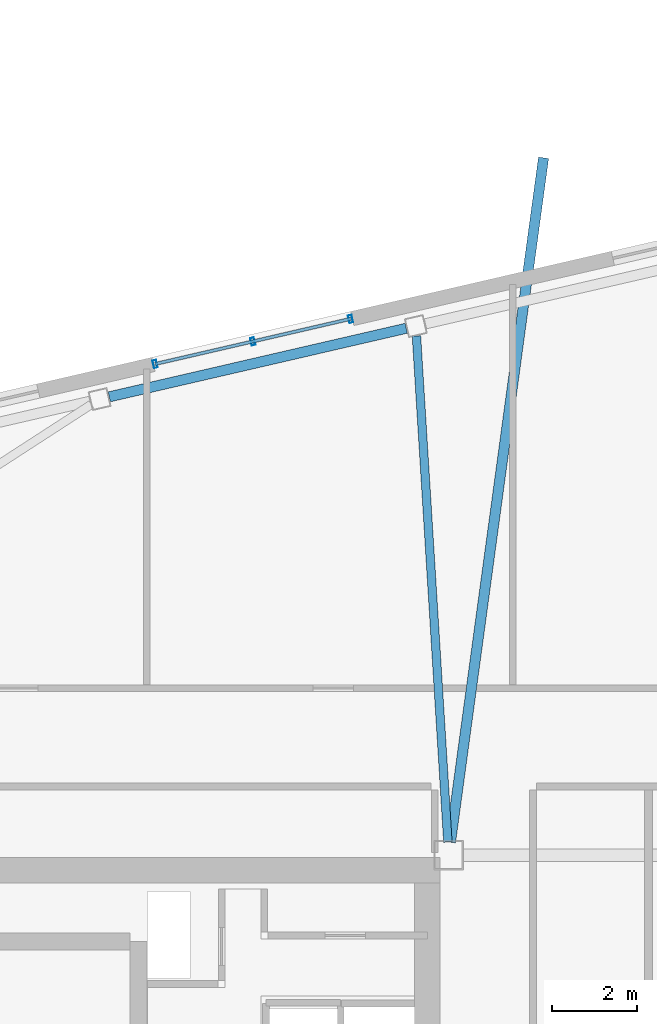
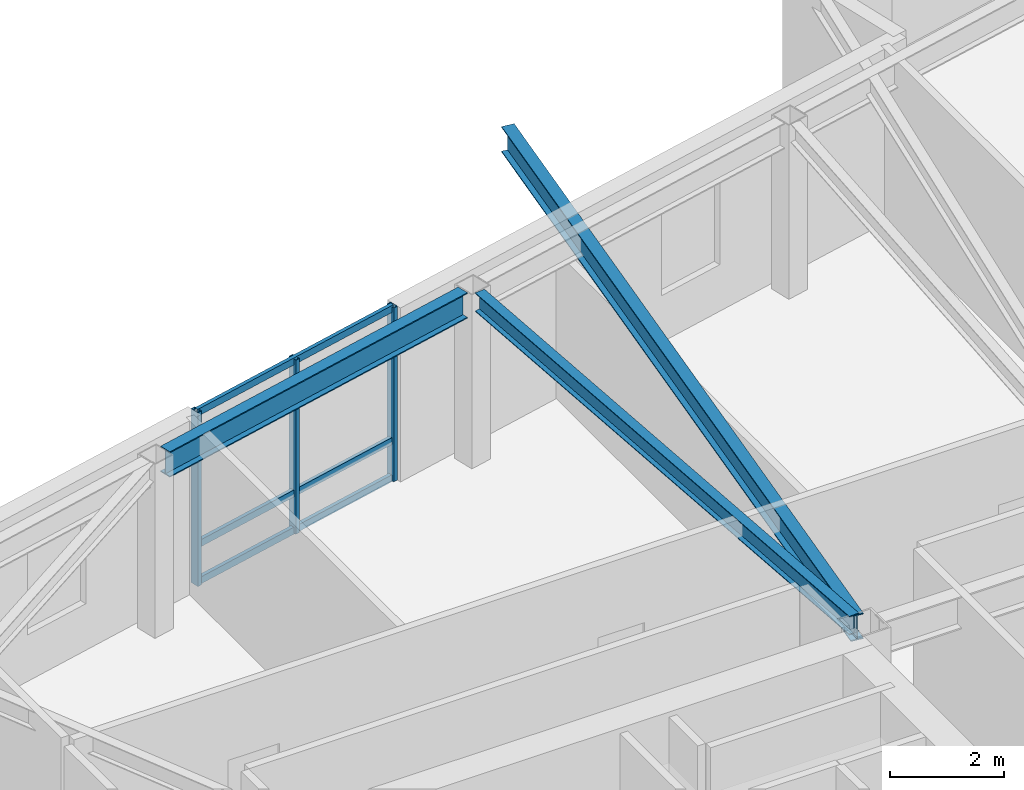
# One storey, part 13 of 22: 6 members, 3 beams, 1 element without a shape of its own.
"""IFC4 building model written with IfcOpenShell, lengths in metres."""

import ifcopenshell
import ifcopenshell.guid

model = None  # the IFC model being written
_history = None  # IfcOwnerHistory: only IFC2X3 demands one
_inside = {}  # id of a spatial element -> (the spatial element, [elements in it])
_under = {}  # id of a project, library or spatial element -> (it, [spatial elements below it])
_declared = {}  # id of a project -> (the project, [libraries it declares])
_typed = {}  # id of a type object -> (the type object, [elements of that type])
_made_of = {}  # id of a material, layer set ... -> (it, [elements and type objects made of it])


def new_model(schema):
    """Start an empty IFC model of exactly this schema.

    Asked for "IFC4X3", IfcOpenShell would pick the latest addendum, in which some entities
    have other attributes; the version numbers below select the first issue.
    IFC2X3 requires an IfcOwnerHistory on every rooted entity: one is made here for all.
    """
    global model, _history
    if schema == "IFC4X3":
        model = ifcopenshell.file(schema_version=(4, 3, 0, 0))
    else:
        model = ifcopenshell.file(schema=schema)
    _inside.clear()
    _under.clear()
    _declared.clear()
    _typed.clear()
    _made_of.clear()
    _history = None
    if model.schema == "IFC2X3":
        org = make("IfcOrganization", Name="unknown")
        user = make(
            "IfcPersonAndOrganization",
            ThePerson=make("IfcPerson", FamilyName="unknown"),
            TheOrganization=org,
        )
        app = make(
            "IfcApplication",
            ApplicationDeveloper=org,
            Version="unknown",
            ApplicationFullName="unknown",
            ApplicationIdentifier="unknown",
        )
        _history = make(
            "IfcOwnerHistory",
            OwningUser=user,
            OwningApplication=app,
            ChangeAction="ADDED",
            CreationDate=0,
        )
    return model


def make(cls, **values):
    """One entity of the class cls with the attributes given. An attribute that is None is left unset."""
    return model.create_entity(
        cls, **{name: value for name, value in values.items() if value is not None}
    )


def rooted(cls, **values):
    """An entity with a GlobalId (a new one), such as an element, a storey or a relation."""
    return make(cls, GlobalId=ifcopenshell.guid.new(), OwnerHistory=_history, **values)


def si_unit(unit_type, name, prefix=None):
    """IfcSIUnit, for example si_unit("LENGTHUNIT", "METRE", prefix="MILLI")."""
    return make("IfcSIUnit", UnitType=unit_type, Prefix=prefix, Name=name)


def assignment(units):
    """IfcUnitAssignment: the units of a project."""
    return None if units is None else make("IfcUnitAssignment", Units=units)


def point(xyz):
    """IfcCartesianPoint."""
    return None if xyz is None else make("IfcCartesianPoint", Coordinates=xyz)


def direction(xyz):
    """IfcDirection."""
    return None if xyz is None else make("IfcDirection", DirectionRatios=xyz)


def frame(location, z_axis=None, x_axis=None):
    """IfcAxis2Placement3D, a coordinate frame: its origin and axes. An axis left out is left unset."""
    return make(
        "IfcAxis2Placement3D",
        Location=point(location),
        Axis=direction(z_axis),
        RefDirection=direction(x_axis),
    )


def frame_2d(location, x_axis=None):
    """IfcAxis2Placement2D, a coordinate frame in the plane: its origin and x axis."""
    return make(
        "IfcAxis2Placement2D", Location=point(location), RefDirection=direction(x_axis)
    )


def origin():
    """The frame at (0, 0, 0) with its axes left unset."""
    return frame((0.0, 0.0, 0.0))


def origin_2d():
    """The frame at (0, 0) in the plane with its x axis left unset."""
    return frame_2d((0.0, 0.0))


def place(relative_to, where):
    """IfcLocalPlacement: puts the frame where relative to a parent placement (None: the world)."""
    return make(
        "IfcLocalPlacement", PlacementRelTo=relative_to, RelativePlacement=where
    )


def context(
    kind, dimensions, precision=None, world=None, true_north=None, identifier=None
):
    """IfcGeometricRepresentationContext, for example the 3D "Model" context."""
    return make(
        "IfcGeometricRepresentationContext",
        ContextIdentifier=identifier,
        ContextType=kind,
        CoordinateSpaceDimension=dimensions,
        Precision=precision,
        WorldCoordinateSystem=world,
        TrueNorth=true_north,
    )


def subcontext(parent, identifier, kind, view, scale=None):
    """IfcGeometricRepresentationSubContext, for example "Body" below "Model"."""
    return make(
        "IfcGeometricRepresentationSubContext",
        ContextIdentifier=identifier,
        ContextType=kind,
        ParentContext=parent,
        TargetScale=scale,
        TargetView=view,
    )


def project(units=None, contexts=None):
    """IfcProject with its units and contexts."""
    return rooted(
        "IfcProject",
        Name="project",
        RepresentationContexts=contexts,
        UnitsInContext=assignment(units),
    )


def spatial(cls, under=None, at=None, **own):
    """A site, building, storey or space (cls), placed at a placement, below another one or the project."""
    s = rooted(cls, ObjectPlacement=at, **own)
    if under is not None:
        _under.setdefault(under.id(), (under, []))[1].append(s)
    return s


def profile(cls, at=None, kind="AREA", **sizes):
    """A parametric profile (cls). Its sizes go by their IFC names, for example OverallWidth=200.0."""
    return make(cls, ProfileType=kind, Position=at, **sizes)


def hollow_rectangle(**sizes):
    """IfcRectangleHollowProfileDef."""
    return profile("IfcRectangleHollowProfileDef", **sizes)


def i_section(**sizes):
    """IfcIShapeProfileDef."""
    return profile("IfcIShapeProfileDef", **sizes)


def extrude(swept, where, along, depth):
    """IfcExtrudedAreaSolid: the profile swept, set in the frame where, extruded along a direction by depth."""
    return make(
        "IfcExtrudedAreaSolid",
        SweptArea=swept,
        Position=where,
        ExtrudedDirection=direction(along),
        Depth=depth,
    )


def shape(context_of_items, identifier, shape_type, items):
    """IfcShapeRepresentation: the items that make up one representation, for example the "Body"."""
    return make(
        "IfcShapeRepresentation",
        ContextOfItems=context_of_items,
        RepresentationIdentifier=identifier,
        RepresentationType=shape_type,
        Items=items,
    )


def material(Name=None, Category=None):
    """IfcMaterial."""
    return make("IfcMaterial", Name=Name, Category=Category)


def layer(
    of_material, thickness, ventilated=None, Name=None, Category=None, Priority=None
):
    """IfcMaterialLayer: one layer of a wall or slab, of a material (None: an air gap)."""
    return make(
        "IfcMaterialLayer",
        Material=of_material,
        LayerThickness=thickness,
        IsVentilated=ventilated,
        Name=Name,
        Category=Category,
        Priority=Priority,
    )


def layer_set(layers, Name=None):
    """IfcMaterialLayerSet."""
    return make("IfcMaterialLayerSet", MaterialLayers=layers, LayerSetName=Name)


def material_profile(
    of_material, cross_section, Name=None, Category=None, Priority=None
):
    """IfcMaterialProfile: a cross section and its material."""
    return make(
        "IfcMaterialProfile",
        Name=Name,
        Material=of_material,
        Profile=cross_section,
        Priority=Priority,
        Category=Category,
    )


def profile_set(profiles, Name=None, composite=None):
    """IfcMaterialProfileSet."""
    return make(
        "IfcMaterialProfileSet",
        Name=Name,
        MaterialProfiles=profiles,
        CompositeProfile=composite,
    )


def made_of(thing, what):
    """Note that an element or type object is made of a material, layer set ...; save() writes the relation."""
    if what is not None:
        _made_of.setdefault(what.id(), (what, []))[1].append(thing)
    return thing


def type_object(cls, material=None, **own):
    """A type object (cls), such as IfcWallType, which elements share."""
    return made_of(rooted(cls, **own), material)


def element(
    cls,
    number,
    at=None,
    inside=None,
    cuts=None,
    type_object=None,
    material=None,
    context=None,
    identifier="Body",
    shape_type=None,
    held_by="IfcProductDefinitionShape",
    body=None,
    shapes=None,
    **own,
):
    """One element of the class cls, such as IfcWall. Its Tag is "e" and its number.

    at: its placement. inside: the storey or other place that contains it. cuts: it is an
    opening in that element (IfcRelVoidsElement). A single representation is given by context,
    identifier, shape_type and body (its items); several are given by shapes. held_by: the class
    of the entity that holds the representations. save() writes the other relations.
    """
    e = rooted(cls, Tag="e%d" % number, ObjectPlacement=at, **own)
    if body is not None:
        shapes = [shape(context, identifier, shape_type, body)]
    if shapes is not None:
        e.Representation = make(held_by, Representations=shapes)
    if inside is not None:
        _inside.setdefault(inside.id(), (inside, []))[1].append(e)
    if cuts is not None:
        rooted(
            "IfcRelVoidsElement", RelatingBuildingElement=cuts, RelatedOpeningElement=e
        )
    if type_object is not None:
        _typed.setdefault(type_object.id(), (type_object, []))[1].append(e)
    return made_of(e, material)


def aggregate(whole, parts):
    """IfcRelAggregates: a whole, such as a stair, and the parts it consists of."""
    return rooted("IfcRelAggregates", RelatingObject=whole, RelatedObjects=parts)


def save(model, path):
    """Write the relations noted so far, then the file.

    IfcRelAggregates (storeys below a building ...), IfcRelContainedInSpatialStructure (elements
    in a storey), IfcRelDefinesByType, IfcRelAssociatesMaterial and IfcRelDeclares: one each for
    every whole, place, type object, material and project.
    """
    for whole, parts in _under.values():
        aggregate(whole, parts)
    for where, things in _inside.values():
        rooted(
            "IfcRelContainedInSpatialStructure",
            RelatedElements=things,
            RelatingStructure=where,
        )
    for kind, things in _typed.values():
        rooted("IfcRelDefinesByType", RelatedObjects=things, RelatingType=kind)
    for what, things in _made_of.values():
        rooted("IfcRelAssociatesMaterial", RelatedObjects=things, RelatingMaterial=what)
    for by, libraries in _declared.values():
        rooted("IfcRelDeclares", RelatingContext=by, RelatedDefinitions=libraries)
    model.write(path)


model = new_model("IFC4")

# Units and contexts
model_context = context("Model", 3, precision=1e-05, world=origin(), true_north=direction((0.0, 1.0)))
body_context = subcontext(model_context, "Body", "Model", "MODEL_VIEW")
ifc_project = project(units=[si_unit("LENGTHUNIT", "METRE"), si_unit("AREAUNIT", "SQUARE_METRE"), si_unit("VOLUMEUNIT", "CUBIC_METRE"), si_unit("PLANEANGLEUNIT", "RADIAN"), si_unit("MASSUNIT", "GRAM", prefix="KILO")], contexts=[model_context])

# Site, building, storey
site_placement = place(None, origin())
site = spatial("IfcSite", under=ifc_project, at=site_placement, CompositionType="ELEMENT")
building_placement = place(site_placement, origin())
building = spatial("IfcBuilding", under=site, at=building_placement, Name="Tavrogorsk Clinical Tower", CompositionType="ELEMENT")
storey_placement = place(building_placement, frame((0.0, 0.0, 317.0)))
storey = spatial("IfcBuildingStorey", under=building, at=storey_placement, Name="L74", CompositionType="ELEMENT", Elevation=317.0)

# Curtain wall, members
ifc_material_1 = material(Name="Anodised aluminium and triple IGU glazing", Category="aluminium")
ifc_layer = layer(ifc_material_1, 0.179931640625)
ifc_layer_set = layer_set([ifc_layer], Name="Anodised aluminium and triple IGU glazing")
curtain_wall_type = type_object("IfcCurtainWallType", Name="CW2_NorthSlot", PredefinedType="NOTDEFINED", material=ifc_layer_set)
curtain_wall_placement = place(storey_placement, origin())
curtain_wall = element("IfcCurtainWall", 1, at=curtain_wall_placement, inside=storey, type_object=curtain_wall_type, Name="L74 Curtain Wall CW-L74-N-SLOT-1", PredefinedType="NOTDEFINED")
ifc_material_2 = material(Name="Anodised aluminium alloy AW-6060", Category="aluminium")
ifc_material_profile_1 = material_profile(ifc_material_2, hollow_rectangle(XDim=0.090087890625, YDim=0.179931640625, WallThickness=0.00634765625, at=origin_2d()), Name="RHS-180x90x6.3")
ifc_profile_set_1 = profile_set([ifc_material_profile_1], Name="Anodised aluminium alloy AW-6060")
member_type_1 = type_object("IfcMemberType", Name="CwMullion_180x90", PredefinedType="MULLION", material=ifc_profile_set_1)
member_1_placement = place(storey_placement, frame((-12.608154296875, 18.9658203125, 0.0), z_axis=(0.0, 0.0, 1.0), x_axis=(-0.974370057377, -0.224951086434, 0.0)))
member_1 = element("IfcMember", 2, at=member_1_placement, type_object=member_type_1, Name="CW-L74-N-SLOT-1 Mullion 1", PredefinedType="MULLION", context=body_context, shape_type="SweptSolid", body=[
    extrude(hollow_rectangle(XDim=0.090087890625, YDim=0.179931640625, WallThickness=0.00634765625, at=origin_2d()), origin(), (0.0, 0.0, 1.0), 3.739990234375),
])
member_2_placement = place(storey_placement, frame((-14.90673828125, 18.435302734375, 0.0), z_axis=(0.0, 0.0, 1.0), x_axis=(-0.974370057377, -0.224951086434, 0.0)))
member_2 = element("IfcMember", 3, at=member_2_placement, type_object=member_type_1, Name="CW-L74-N-SLOT-1 Mullion 2", PredefinedType="MULLION", context=body_context, shape_type="SweptSolid", body=[
    extrude(hollow_rectangle(XDim=0.090087890625, YDim=0.179931640625, WallThickness=0.00634765625, at=origin_2d()), origin(), (0.0, 0.0, 1.0), 3.739990234375),
])
member_3_placement = place(storey_placement, frame((-17.205322265625, 17.904541015625, 0.0), z_axis=(0.0, 0.0, 1.0), x_axis=(-0.974370057377, -0.224951086434, 0.0)))
member_3 = element("IfcMember", 4, at=member_3_placement, type_object=member_type_1, Name="CW-L74-N-SLOT-1 Mullion 3", PredefinedType="MULLION", context=body_context, shape_type="SweptSolid", body=[
    extrude(hollow_rectangle(XDim=0.090087890625, YDim=0.179931640625, WallThickness=0.00634765625, at=origin_2d()), origin(), (0.0, 0.0, 1.0), 3.739990234375),
])
ifc_material_3 = material(Name="Anodised aluminium alloy AW-6060", Category="aluminium")
ifc_material_profile_2 = material_profile(ifc_material_3, hollow_rectangle(XDim=0.074951171875, YDim=0.14990234375, WallThickness=0.0048828125, at=origin_2d()), Name="RHS-150x75x5")
ifc_profile_set_2 = profile_set([ifc_material_profile_2], Name="Anodised aluminium alloy AW-6060")
member_type_2 = type_object("IfcMemberType", Name="CwTransom_150x75", PredefinedType="USERDEFINED", material=ifc_profile_set_2)
member_4_placement = place(storey_placement, frame((-12.608154296875, 18.9658203125, 0.050048828125), z_axis=(-0.974372877948, -0.22493886885, 0.0), x_axis=(0.22493886885, -0.974372877948, 0.0)))
member_4 = element("IfcMember", 5, at=member_4_placement, type_object=member_type_2, Name="CW-L74-N-SLOT-1 Transom 1", ObjectType="TRANSOM", PredefinedType="USERDEFINED", context=body_context, shape_type="SweptSolid", body=[
    extrude(hollow_rectangle(XDim=0.074951171875, YDim=0.14990234375, WallThickness=0.0048828125, at=origin_2d()), origin(), (0.0, 0.0, 1.0), 4.718017578125),
])
member_5_placement = place(storey_placement, frame((-12.608154296875, 18.9658203125, 0.85009765625), z_axis=(-0.974372877948, -0.22493886885, 0.0), x_axis=(0.22493886885, -0.974372877948, 0.0)))
member_5 = element("IfcMember", 6, at=member_5_placement, type_object=member_type_2, Name="CW-L74-N-SLOT-1 Transom 2", ObjectType="TRANSOM", PredefinedType="USERDEFINED", context=body_context, shape_type="SweptSolid", body=[
    extrude(hollow_rectangle(XDim=0.074951171875, YDim=0.14990234375, WallThickness=0.0048828125, at=origin_2d()), origin(), (0.0, 0.0, 1.0), 4.718017578125),
])
member_6_placement = place(storey_placement, frame((-12.608154296875, 18.9658203125, 3.68994140625), z_axis=(-0.974372877948, -0.22493886885, 0.0), x_axis=(0.22493886885, -0.974372877948, 0.0)))
member_6 = element("IfcMember", 7, at=member_6_placement, type_object=member_type_2, Name="CW-L74-N-SLOT-1 Transom 3", ObjectType="TRANSOM", PredefinedType="USERDEFINED", context=body_context, shape_type="SweptSolid", body=[
    extrude(hollow_rectangle(XDim=0.074951171875, YDim=0.14990234375, WallThickness=0.0048828125, at=origin_2d()), origin(), (0.0, 0.0, 1.0), 4.718017578125),
])
aggregate(curtain_wall, [member_1, member_2, member_3, member_4, member_5, member_6])

# Beams
ifc_material_4 = material(Name="Structural steel S355", Category="steel")
ifc_material_profile_3 = material_profile(ifc_material_4, i_section(OverallWidth=0.199951171875, OverallDepth=0.39990234375, WebThickness=0.010498046875, FlangeThickness=0.01611328125, at=origin_2d()), Name="B-400x200x10.5x16")
ifc_profile_set_3 = profile_set([ifc_material_profile_3], Name="Structural steel S355")
beam_type_1 = type_object("IfcBeamType", Name="FloorBeam_B400", PredefinedType="BEAM", material=ifc_profile_set_3)
beam_1_placement = place(storey_placement, frame((-10.319091796875, 6.659423828125, 3.5400390625), z_axis=(-0.06197688672, 0.998077584916, 0.0), x_axis=(-0.998077584916, -0.06197688672, 0.0)))
element("IfcBeam", 8, at=beam_1_placement, inside=storey, type_object=beam_type_1, Name="L74 Radial Floor Beam N5", PredefinedType="BEAM", context=body_context, shape_type="SweptSolid", body=[
    extrude(i_section(OverallWidth=0.199951171875, OverallDepth=0.39990234375, WebThickness=0.010498046875, FlangeThickness=0.01611328125, at=origin_2d()), origin(), (0.0, 0.0, 1.0), 11.927978515625),
])
ifc_material_5 = material(Name="Structural steel S390", Category="steel")
ifc_material_profile_4 = material_profile(ifc_material_5, i_section(OverallWidth=0.239990234375, OverallDepth=0.550048828125, WebThickness=0.013916015625, FlangeThickness=0.02197265625, at=origin_2d()), Name="B-550x240x14x22")
ifc_profile_set_4 = profile_set([ifc_material_profile_4], Name="Structural steel S390")
beam_type_2 = type_object("IfcBeamType", Name="SpandrelBeam_B550", PredefinedType="SPANDREL", material=ifc_profile_set_4)
beam_2_placement = place(storey_placement, frame((-11.2998046875, 18.74462890625, 3.465087890625), z_axis=(-0.974367655018, -0.224961491939, 0.0), x_axis=(0.224961491939, -0.974367655018, 0.0)))
element("IfcBeam", 9, at=beam_2_placement, inside=storey, type_object=beam_type_2, Name="L74 Perimeter Spandrel N5-N6", PredefinedType="SPANDREL", context=body_context, shape_type="SweptSolid", body=[
    extrude(i_section(OverallWidth=0.239990234375, OverallDepth=0.550048828125, WebThickness=0.013916015625, FlangeThickness=0.02197265625, at=origin_2d()), origin(), (0.0, 0.0, 1.0), 7.168212890625),
])
beam_3_placement = place(storey_placement, frame((-10.25830078125, 6.6572265625, 3.445068359375), z_axis=(0.134775862785, 0.990876110728, 0.0), x_axis=(-0.990876110728, 0.134775862785, 0.0)))
element("IfcBeam", 10, at=beam_3_placement, inside=storey, type_object=beam_type_2, Name="L75 Spiral Terrace Cantilever Beam 2", PredefinedType="SPANDREL", context=body_context, shape_type="SweptSolid", body=[
    extrude(i_section(OverallWidth=0.239990234375, OverallDepth=0.550048828125, WebThickness=0.013916015625, FlangeThickness=0.02197265625, at=origin_2d()), origin(), (0.0, 0.0, 1.0), 16.2451171875),
])

save(model, "model.ifc")
